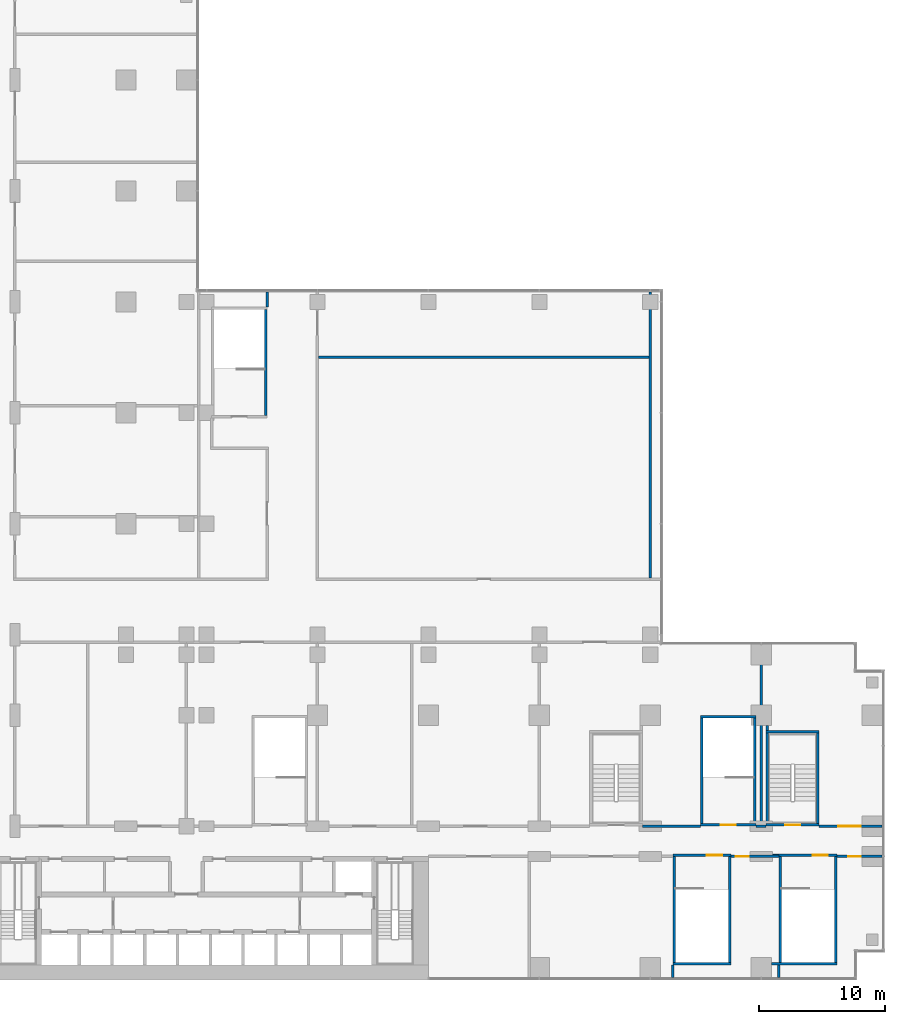
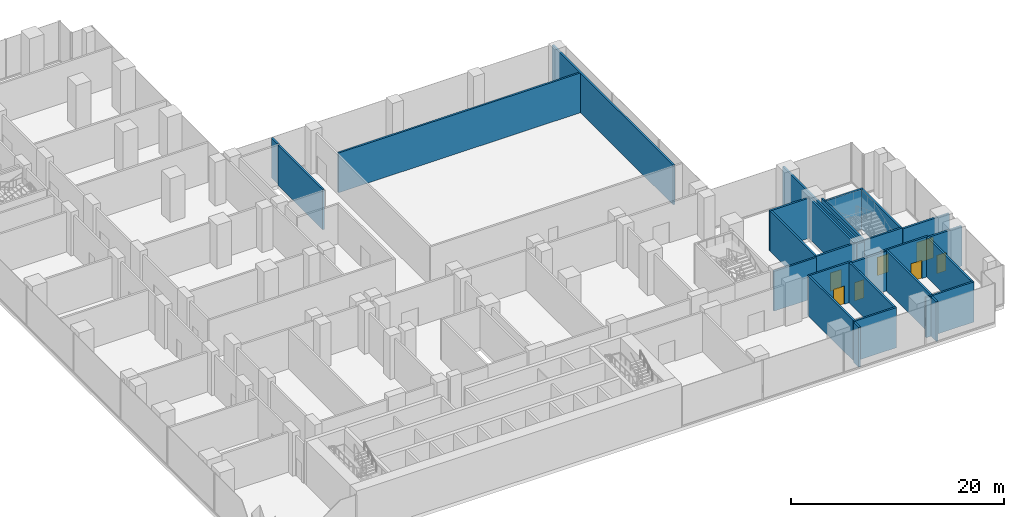
# One storey, part 21 of 27: 28 walls, 7 doors, 7 openings.
"""IFC4 building model written with IfcOpenShell, lengths in metres."""

from ifc_helpers import new_model, si_unit, direction, frame, frame_2d, origin, place, context, subcontext, project, spatial, rectangle, extrude, material, layer, layer_set, type_object, element, fill, save


model = new_model("IFC4")

# Units and contexts
model_context = context("Model", 3, precision=1e-05, world=origin(), true_north=direction((0.0, 1.0)))
body_context = subcontext(model_context, "Body", "Model", "MODEL_VIEW")
ifc_project = project(units=[si_unit("LENGTHUNIT", "METRE"), si_unit("AREAUNIT", "SQUARE_METRE"), si_unit("VOLUMEUNIT", "CUBIC_METRE"), si_unit("PLANEANGLEUNIT", "RADIAN"), si_unit("MASSUNIT", "GRAM", prefix="KILO")], contexts=[model_context])

# Site, building, storey
site_placement = place(None, origin())
site = spatial("IfcSite", under=ifc_project, at=site_placement, CompositionType="ELEMENT")
building_placement = place(site_placement, origin())
building = spatial("IfcBuilding", under=site, at=building_placement, Name="Kemantara Hotel Tower", CompositionType="ELEMENT")
storey_placement = place(building_placement, frame((0.0, 0.0, 29.0)))
storey = spatial("IfcBuildingStorey", under=building, at=storey_placement, Name="L05", CompositionType="ELEMENT", Elevation=29.0)

# Wall, opening, door
ifc_material_1 = material(Name="Concrete fc 40 MPa", Category="concrete")
ifc_layer_1 = layer(ifc_material_1, 0.199951171875)
ifc_layer_set_1 = layer_set([ifc_layer_1], Name="Concrete fc 40 MPa")
wall_type_1 = type_object("IfcWallType", Name="Concrete stair wall 200 mm", PredefinedType="SHEAR", material=ifc_layer_set_1)
wall_1_placement = place(storey_placement, frame((71.800048828125, 12.300048828125, 0.0), z_axis=(0.0, 0.0, 1.0), x_axis=(1.0, 0.0, 0.0)))
wall_1 = element("IfcWall", 1, at=wall_1_placement, inside=storey, type_object=wall_type_1, Name="Stair ST5 enclosure wall with door", PredefinedType="SHEAR", context=body_context, shape_type="SweptSolid", body=[
    extrude(rectangle(XDim=4.199951171875, YDim=0.199951171875, at=frame_2d((2.10009765625, 0.0))), origin(), (0.0, 0.0, 1.0), 4.60009765625),
])
opening_1_placement = place(wall_1_placement, frame((1.5, 0.0, 0.0)))
opening_1 = element("IfcOpeningElement", 2, at=opening_1_placement, cuts=wall_1, Name="Opening ST5-C", PredefinedType="OPENING", context=body_context, shape_type="SweptSolid", body=[
    extrude(rectangle(XDim=1.199951171875, YDim=2.10009765625, at=frame_2d((0.60009765625, 1.050048828125))), frame((0.0, 0.10986328125, 0.0), z_axis=(0.0, -1.0, 0.0), x_axis=(1.0, 0.0, 0.0)), (0.0, 0.0, 1.0), 0.219970703125),
])
ifc_material_2 = material(Name="Steel fire door", Category="steel")
door_type_1 = type_object("IfcDoorType", Name="Fire door FD90 1200 x 2100", OperationType="NOTDEFINED", PredefinedType="DOOR", material=ifc_material_2)
door_1_placement = place(opening_1_placement, origin())
door_1 = element("IfcDoor", 3, at=door_1_placement, inside=storey, type_object=door_type_1, Name="Stair ST5 door", OperationType="SINGLE_SWING_RIGHT", OverallHeight=2.10009765625, OverallWidth=1.199951171875, PredefinedType="DOOR", context=body_context, shape_type="SweptSolid", body=[
    extrude(rectangle(XDim=1.199951171875, YDim=2.10009765625, at=frame_2d((0.60009765625, 1.050048828125))), frame((0.0, 0.02490234375, 0.0), z_axis=(0.0, -1.0, 0.0), x_axis=(1.0, 0.0, 0.0)), (0.0, 0.0, 1.0), 0.050048828125),
])
fill(opening_1, door_1)

# Walls
wall_2_placement = place(storey_placement, frame((71.800048828125, 19.699951171875, 0.0), z_axis=(0.0, 0.0, 1.0), x_axis=(1.0, 0.0, 0.0)))
element("IfcWall", 4, at=wall_2_placement, inside=storey, type_object=wall_type_1, Name="Stair ST5 enclosure wall N", PredefinedType="SHEAR", context=body_context, shape_type="SweptSolid", body=[
    extrude(rectangle(XDim=4.199951171875, YDim=0.199951171875, at=frame_2d((2.10009765625, 0.0))), origin(), (0.0, 0.0, 1.0), 4.60009765625),
])
wall_3_placement = place(storey_placement, frame((71.89990234375, 12.39990234375, 0.0), z_axis=(0.0, 0.0, 1.0), x_axis=(0.0, 1.0, 0.0)))
element("IfcWall", 5, at=wall_3_placement, inside=storey, type_object=wall_type_1, Name="Stair ST5 enclosure wall W", PredefinedType="SHEAR", context=body_context, shape_type="SweptSolid", body=[
    extrude(rectangle(XDim=7.800048828125, YDim=0.199951171875, at=frame_2d((3.89990234375, 0.0))), origin(), (0.0, 0.0, 1.0), 4.60009765625),
])
wall_4_placement = place(storey_placement, frame((75.89990234375, 12.39990234375, 0.0), z_axis=(0.0, 0.0, 1.0), x_axis=(0.0, 1.0, 0.0)))
element("IfcWall", 6, at=wall_4_placement, inside=storey, type_object=wall_type_1, Name="Stair ST5 enclosure wall E", PredefinedType="SHEAR", context=body_context, shape_type="SweptSolid", body=[
    extrude(rectangle(XDim=7.2001953125, YDim=0.199951171875, at=frame_2d((3.60009765625, 0.0))), origin(), (0.0, 0.0, 1.0), 4.60009765625),
])

# Wall, opening, door
wall_5_placement = place(storey_placement, frame((66.60009765625, 12.300048828125, 0.0), z_axis=(0.0, 0.0, 1.0), x_axis=(1.0, 0.0, 0.0)))
wall_5 = element("IfcWall", 7, at=wall_5_placement, inside=storey, type_object=wall_type_1, Name="Stair PS1 enclosure wall with door", PredefinedType="SHEAR", context=body_context, shape_type="SweptSolid", body=[
    extrude(rectangle(XDim=4.39990234375, YDim=0.199951171875, at=frame_2d((2.199951171875, 0.0))), origin(), (0.0, 0.0, 1.0), 4.60009765625),
])
opening_2_placement = place(wall_5_placement, frame((1.60009765625, 0.0, 0.0)))
opening_2 = element("IfcOpeningElement", 8, at=opening_2_placement, cuts=wall_5, Name="Opening PS1-C", PredefinedType="OPENING", context=body_context, shape_type="SweptSolid", body=[
    extrude(rectangle(XDim=1.199951171875, YDim=2.10009765625, at=frame_2d((0.60009765625, 1.050048828125))), frame((0.0, 0.10986328125, 0.0), z_axis=(0.0, -1.0, 0.0), x_axis=(1.0, 0.0, 0.0)), (0.0, 0.0, 1.0), 0.219970703125),
])
door_2_placement = place(opening_2_placement, origin())
door_2 = element("IfcDoor", 9, at=door_2_placement, inside=storey, type_object=door_type_1, Name="Stair PS1 door", OperationType="SINGLE_SWING_RIGHT", OverallHeight=2.10009765625, OverallWidth=1.199951171875, PredefinedType="DOOR", context=body_context, shape_type="SweptSolid", body=[
    extrude(rectangle(XDim=1.199951171875, YDim=2.10009765625, at=frame_2d((0.60009765625, 1.050048828125))), frame((0.0, 0.02490234375, 0.0), z_axis=(0.0, -1.0, 0.0), x_axis=(1.0, 0.0, 0.0)), (0.0, 0.0, 1.0), 0.050048828125),
])
fill(opening_2, door_2)

# Walls
wall_6_placement = place(storey_placement, frame((66.60009765625, 20.89990234375, 0.0), z_axis=(0.0, 0.0, 1.0), x_axis=(1.0, 0.0, 0.0)))
element("IfcWall", 10, at=wall_6_placement, inside=storey, type_object=wall_type_1, Name="Stair PS1 enclosure wall N", PredefinedType="SHEAR", context=body_context, shape_type="SweptSolid", body=[
    extrude(rectangle(XDim=4.39990234375, YDim=0.199951171875, at=frame_2d((2.199951171875, 0.0))), origin(), (0.0, 0.0, 1.0), 4.60009765625),
])
for number, where, z_axis, x_axis, name in (
    (11, (66.699951171875, 12.39990234375, 0.0), (0.0, 0.0, 1.0), (0.0, 1.0, 0.0), "Stair PS1 enclosure wall W"),
    (12, (70.89990234375, 12.39990234375, 0.0), (0.0, 0.0, 1.0), (0.0, 1.0, 0.0), "Stair PS1 enclosure wall E"),
):
    element("IfcWall", number, at=place(storey_placement, frame(where, z_axis=z_axis, x_axis=x_axis)), inside=storey, type_object=wall_type_1, Name=name, PredefinedType="SHEAR", context=body_context, shape_type="SweptSolid", body=[
        extrude(rectangle(XDim=8.400146484375, YDim=0.199951171875, at=frame_2d((4.2001953125, 0.0))), origin(), (0.0, 0.0, 1.0), 4.60009765625),
    ])
wall_7_placement = place(storey_placement, frame((32.10009765625, 44.800048828125, 0.0), z_axis=(0.0, 0.0, 1.0), x_axis=(0.0, 1.0, 0.0)))
element("IfcWall", 13, at=wall_7_placement, inside=storey, type_object=wall_type_1, Name="Stair PS2 enclosure wall E", PredefinedType="SHEAR", context=body_context, shape_type="SweptSolid", body=[
    extrude(rectangle(XDim=8.39990234375, YDim=0.199951171875, at=frame_2d((4.199951171875, 0.0))), origin(), (0.0, 0.0, 1.0), 4.60009765625),
])

# Wall, opening, door
wall_8_placement = place(storey_placement, frame((64.39990234375, 9.89990234375, 0.0), z_axis=(0.0, 0.0, 1.0), x_axis=(1.0, 0.0, 0.0)))
wall_8 = element("IfcWall", 14, at=wall_8_placement, inside=storey, type_object=wall_type_1, Name="Stair PS4 enclosure wall with door", PredefinedType="SHEAR", context=body_context, shape_type="SweptSolid", body=[
    extrude(rectangle(XDim=4.60009765625, YDim=0.199951171875, at=frame_2d((2.300048828125, 0.0))), origin(), (0.0, 0.0, 1.0), 4.60009765625),
])
opening_3_placement = place(wall_8_placement, frame((2.699951171875, 0.0, 0.0)))
opening_3 = element("IfcOpeningElement", 15, at=opening_3_placement, cuts=wall_8, Name="Opening PS4-C", PredefinedType="OPENING", context=body_context, shape_type="SweptSolid", body=[
    extrude(rectangle(XDim=1.199951171875, YDim=2.10009765625, at=frame_2d((0.60009765625, 1.050048828125))), frame((0.0, 0.10986328125, 0.0), z_axis=(0.0, -1.0, 0.0), x_axis=(1.0, 0.0, 0.0)), (0.0, 0.0, 1.0), 0.219970703125),
])
door_3_placement = place(opening_3_placement, frame((1.199951171875, 0.0, 0.0), z_axis=(0.0, 0.0, 1.0), x_axis=(-1.0, 0.0, 0.0)))
door_3 = element("IfcDoor", 16, at=door_3_placement, inside=storey, type_object=door_type_1, Name="Stair PS4 door", OperationType="SINGLE_SWING_LEFT", OverallHeight=2.10009765625, OverallWidth=1.199951171875, PredefinedType="DOOR", context=body_context, shape_type="SweptSolid", body=[
    extrude(rectangle(XDim=1.199951171875, YDim=2.10009765625, at=frame_2d((0.60009765625, 1.050048828125))), frame((0.0, 0.02490234375, 0.0), z_axis=(0.0, -1.0, 0.0), x_axis=(1.0, 0.0, 0.0)), (0.0, 0.0, 1.0), 0.050048828125),
])
fill(opening_3, door_3)

# Walls
wall_9_placement = place(storey_placement, frame((64.39990234375, 1.300048828125, 0.0), z_axis=(0.0, 0.0, 1.0), x_axis=(1.0, 0.0, 0.0)))
element("IfcWall", 17, at=wall_9_placement, inside=storey, type_object=wall_type_1, Name="Stair PS4 enclosure wall S", PredefinedType="SHEAR", context=body_context, shape_type="SweptSolid", body=[
    extrude(rectangle(XDim=4.60009765625, YDim=0.199951171875, at=frame_2d((2.300048828125, 0.0))), origin(), (0.0, 0.0, 1.0), 4.60009765625),
])
for number, where, z_axis, x_axis, name in (
    (18, (64.5, 1.39990234375, 0.0), (0.0, 0.0, 1.0), (0.0, 1.0, 0.0), "Stair PS4 enclosure wall W"),
    (19, (68.89990234375, 1.39990234375, 0.0), (0.0, 0.0, 1.0), (0.0, 1.0, 0.0), "Stair PS4 enclosure wall E"),
):
    element("IfcWall", number, at=place(storey_placement, frame(where, z_axis=z_axis, x_axis=x_axis)), inside=storey, type_object=wall_type_1, Name=name, PredefinedType="SHEAR", context=body_context, shape_type="SweptSolid", body=[
        extrude(rectangle(XDim=8.400146484375, YDim=0.199951171875, at=frame_2d((4.2001953125, 0.0))), origin(), (0.0, 0.0, 1.0), 4.60009765625),
    ])

# Wall, opening, door
wall_10_placement = place(storey_placement, frame((72.300048828125, 9.89990234375, 0.0), z_axis=(0.0, 0.0, 1.0), x_axis=(1.0, 0.0, 0.0)))
wall_10 = element("IfcWall", 20, at=wall_10_placement, inside=storey, type_object=wall_type_1, Name="Stair PS5 enclosure wall with door", PredefinedType="SHEAR", context=body_context, shape_type="SweptSolid", body=[
    extrude(rectangle(XDim=5.099853515625, YDim=0.199951171875, at=frame_2d((2.5498046875, 0.0))), origin(), (0.0, 0.0, 1.0), 4.60009765625),
])
opening_4_placement = place(wall_10_placement, frame((3.199951171875, 0.0, 0.0)))
opening_4 = element("IfcOpeningElement", 21, at=opening_4_placement, cuts=wall_10, Name="Opening PS5-C", PredefinedType="OPENING", context=body_context, shape_type="SweptSolid", body=[
    extrude(rectangle(XDim=1.199951171875, YDim=2.10009765625, at=frame_2d((0.60009765625, 1.050048828125))), frame((0.0, 0.10986328125, 0.0), z_axis=(0.0, -1.0, 0.0), x_axis=(1.0, 0.0, 0.0)), (0.0, 0.0, 1.0), 0.219970703125),
])
door_4_placement = place(opening_4_placement, frame((1.199951171875, 0.0, 0.0), z_axis=(0.0, 0.0, 1.0), x_axis=(-1.0, 0.0, 0.0)))
door_4 = element("IfcDoor", 22, at=door_4_placement, inside=storey, type_object=door_type_1, Name="Stair PS5 door", OperationType="SINGLE_SWING_LEFT", OverallHeight=2.10009765625, OverallWidth=1.199951171875, PredefinedType="DOOR", context=body_context, shape_type="SweptSolid", body=[
    extrude(rectangle(XDim=1.199951171875, YDim=2.10009765625, at=frame_2d((0.60009765625, 1.050048828125))), frame((0.0, 0.02490234375, 0.0), z_axis=(0.0, -1.0, 0.0), x_axis=(1.0, 0.0, 0.0)), (0.0, 0.0, 1.0), 0.050048828125),
])
fill(opening_4, door_4)

# Walls
wall_11_placement = place(storey_placement, frame((72.199951171875, 1.300048828125, 0.0), z_axis=(0.0, 0.0, 1.0), x_axis=(1.0, 0.0, 0.0)))
element("IfcWall", 23, at=wall_11_placement, inside=storey, type_object=wall_type_1, Name="Stair PS5 enclosure wall S", PredefinedType="SHEAR", context=body_context, shape_type="SweptSolid", body=[
    extrude(rectangle(XDim=5.199951171875, YDim=0.199951171875, at=frame_2d((2.60009765625, 0.0))), origin(), (0.0, 0.0, 1.0), 4.60009765625),
])
for number, where, z_axis, x_axis, name in (
    (24, (72.89990234375, 1.39990234375, 0.0), (0.0, 0.0, 1.0), (0.0, 1.0, 0.0), "Stair PS5 enclosure wall W"),
    (25, (77.300048828125, 1.39990234375, 0.0), (0.0, 0.0, 1.0), (0.0, 1.0, 0.0), "Stair PS5 enclosure wall E"),
):
    element("IfcWall", number, at=place(storey_placement, frame(where, z_axis=z_axis, x_axis=x_axis)), inside=storey, type_object=wall_type_1, Name=name, PredefinedType="SHEAR", context=body_context, shape_type="SweptSolid", body=[
        extrude(rectangle(XDim=8.400146484375, YDim=0.199951171875, at=frame_2d((4.2001953125, 0.0))), origin(), (0.0, 0.0, 1.0), 4.60009765625),
    ])
ifc_material_3 = material(Name="Clay brick masonry", Category="masonry")
ifc_layer_2 = layer(ifc_material_3, 0.199951171875)
ifc_layer_set_2 = layer_set([ifc_layer_2], Name="Clay brick masonry")
wall_type_2 = type_object("IfcWallType", Name="FIRE-RATED CLAY BRICK WALL 200 EI 120", PredefinedType="PARTITIONING", material=ifc_layer_set_2)
wall_12_placement = place(storey_placement, frame((62.60009765625, 31.89990234375, 0.0), z_axis=(0.0, 0.0, 1.0), x_axis=(0.0, 1.0, 0.0)))
element("IfcWall", 26, at=wall_12_placement, inside=storey, type_object=wall_type_2, Name="FIRE WALL", PredefinedType="PARTITIONING", context=body_context, shape_type="SweptSolid", body=[
    extrude(rectangle(XDim=22.7001953125, YDim=0.199951171875, at=frame_2d((11.35009765625, 0.0))), origin(), (0.0, 0.0, 1.0), 4.550048828125),
])

# Wall, opening, door
ifc_material_4 = material(Name="Fire-rated gypsum board partition")
ifc_layer_3 = layer(ifc_material_4, 0.199951171875)
ifc_layer_set_3 = layer_set([ifc_layer_3], Name="Fire-rated gypsum board partition")
wall_type_3 = type_object("IfcWallType", Name="FIRE-RATED GYPSUM PARTITION 200 EI 60", PredefinedType="PARTITIONING", material=ifc_layer_set_3)
wall_13_placement = place(storey_placement, frame((69.0, 9.800048828125, 0.0), z_axis=(0.0, 0.0, 1.0), x_axis=(1.0, 0.0, 0.0)))
wall_13 = element("IfcWall", 27, at=wall_13_placement, inside=storey, type_object=wall_type_3, Name="FIRE-RATED PARTITION", PredefinedType="PARTITIONING", context=body_context, shape_type="SweptSolid", body=[
    extrude(rectangle(XDim=3.800048828125, YDim=0.199951171875, at=frame_2d((1.89990234375, 0.0))), origin(), (0.0, 0.0, 1.0), 4.550048828125),
])
opening_5_placement = place(wall_13_placement, frame((0.39990234375, 0.0, 0.0)))
opening_5 = element("IfcOpeningElement", 28, at=opening_5_placement, cuts=wall_13, Name="Opening L05-B005", PredefinedType="OPENING", context=body_context, shape_type="SweptSolid", body=[
    extrude(rectangle(XDim=1.0, YDim=2.10009765625, at=frame_2d((0.5, 1.050048828125))), frame((0.0, 0.10986328125, 0.0), z_axis=(0.0, -1.0, 0.0), x_axis=(1.0, 0.0, 0.0)), (0.0, 0.0, 1.0), 0.219970703125),
])
ifc_material_5 = material(Name="Timber veneer door leaf", Category="wood")
door_type_2 = type_object("IfcDoorType", Name="SINGLE LEAF TIMBER DOOR 1000 X 2100", OperationType="SINGLE_SWING_LEFT", PredefinedType="DOOR", material=ifc_material_5)
door_5_placement = place(opening_5_placement, frame((1.0, 0.0, 0.0), z_axis=(0.0, 0.0, 1.0), x_axis=(-1.0, 0.0, 0.0)))
door_5 = element("IfcDoor", 29, at=door_5_placement, inside=storey, type_object=door_type_2, Name="SINGLE LEAF TIMBER DOOR", OperationType="SINGLE_SWING_RIGHT", OverallHeight=2.10009765625, OverallWidth=1.0, PredefinedType="DOOR", context=body_context, shape_type="SweptSolid", body=[
    extrude(rectangle(XDim=1.0, YDim=2.10009765625, at=frame_2d((0.5, 1.050048828125))), frame((0.0, 0.02490234375, 0.0), z_axis=(0.0, -1.0, 0.0), x_axis=(1.0, 0.0, 0.0)), (0.0, 0.0, 1.0), 0.050048828125),
])
fill(opening_5, door_5)

wall_14_placement = place(storey_placement, frame((77.39990234375, 9.800048828125, 0.0), z_axis=(0.0, 0.0, 1.0), x_axis=(1.0, 0.0, 0.0)))
wall_14 = element("IfcWall", 30, at=wall_14_placement, inside=storey, type_object=wall_type_3, Name="FIRE-RATED PARTITION", PredefinedType="PARTITIONING", context=body_context, shape_type="SweptSolid", body=[
    extrude(rectangle(XDim=3.60009765625, YDim=0.199951171875, at=frame_2d((1.800048828125, 0.0))), origin(), (0.0, 0.0, 1.0), 4.550048828125),
])
opening_6_placement = place(wall_14_placement, frame((0.89990234375, 0.0, 0.0)))
opening_6 = element("IfcOpeningElement", 31, at=opening_6_placement, cuts=wall_14, Name="Opening L05-B006", PredefinedType="OPENING", context=body_context, shape_type="SweptSolid", body=[
    extrude(rectangle(XDim=1.0, YDim=2.10009765625, at=frame_2d((0.5, 1.050048828125))), frame((0.0, 0.10986328125, 0.0), z_axis=(0.0, -1.0, 0.0), x_axis=(1.0, 0.0, 0.0)), (0.0, 0.0, 1.0), 0.219970703125),
])
door_6_placement = place(opening_6_placement, frame((1.0, 0.0, 0.0), z_axis=(0.0, 0.0, 1.0), x_axis=(-1.0, 0.0, 0.0)))
door_6 = element("IfcDoor", 32, at=door_6_placement, inside=storey, type_object=door_type_2, Name="SINGLE LEAF TIMBER DOOR", OperationType="SINGLE_SWING_RIGHT", OverallHeight=2.10009765625, OverallWidth=1.0, PredefinedType="DOOR", context=body_context, shape_type="SweptSolid", body=[
    extrude(rectangle(XDim=1.0, YDim=2.10009765625, at=frame_2d((0.5, 1.050048828125))), frame((0.0, 0.02490234375, 0.0), z_axis=(0.0, -1.0, 0.0), x_axis=(1.0, 0.0, 0.0)), (0.0, 0.0, 1.0), 0.050048828125),
])
fill(opening_6, door_6)

# Walls
wall_15_placement = place(storey_placement, frame((62.0, 12.199951171875, 0.0), z_axis=(0.0, 0.0, 1.0), x_axis=(1.0, 0.0, 0.0)))
element("IfcWall", 33, at=wall_15_placement, inside=storey, type_object=wall_type_3, Name="FIRE-RATED PARTITION", PredefinedType="PARTITIONING", context=body_context, shape_type="SweptSolid", body=[
    extrude(rectangle(XDim=4.60009765625, YDim=0.199951171875, at=frame_2d((2.300048828125, 0.0))), origin(), (0.0, 0.0, 1.0), 4.550048828125),
])
wall_16_placement = place(storey_placement, frame((71.0, 12.199951171875, 0.0), z_axis=(0.0, 0.0, 1.0), x_axis=(1.0, 0.0, 0.0)))
element("IfcWall", 34, at=wall_16_placement, inside=storey, type_object=wall_type_3, Name="FIRE-RATED PARTITION", PredefinedType="PARTITIONING", context=body_context, shape_type="SweptSolid", body=[
    extrude(rectangle(XDim=0.800048828125, YDim=0.199951171875, at=frame_2d((0.39990234375, 0.0))), origin(), (0.0, 0.0, 1.0), 4.550048828125),
])

# Wall, opening, door
wall_17_placement = place(storey_placement, frame((76.0, 12.199951171875, 0.0), z_axis=(0.0, 0.0, 1.0), x_axis=(1.0, 0.0, 0.0)))
wall_17 = element("IfcWall", 35, at=wall_17_placement, inside=storey, type_object=wall_type_3, Name="FIRE-RATED PARTITION", PredefinedType="PARTITIONING", context=body_context, shape_type="SweptSolid", body=[
    extrude(rectangle(XDim=5.0, YDim=0.199951171875, at=frame_2d((2.5, 0.0))), origin(), (0.0, 0.0, 1.0), 4.550048828125),
])
opening_7_placement = place(wall_17_placement, frame((1.5, 0.0, 0.0)))
opening_7 = element("IfcOpeningElement", 36, at=opening_7_placement, cuts=wall_17, Name="Opening L05-B028", PredefinedType="OPENING", context=body_context, shape_type="SweptSolid", body=[
    extrude(rectangle(XDim=1.800048828125, YDim=2.39990234375, at=frame_2d((0.89990234375, 1.199951171875))), frame((0.0, 0.10986328125, 0.0), z_axis=(0.0, -1.0, 0.0), x_axis=(1.0, 0.0, 0.0)), (0.0, 0.0, 1.0), 0.219970703125),
])
ifc_material_6 = material(Name="Toughened glass door leaf", Category="glass")
door_type_3 = type_object("IfcDoorType", Name="GLAZED DOUBLE DOOR 1800 X 2400", OperationType="DOUBLE_DOOR_SINGLE_SWING", PredefinedType="DOOR", material=ifc_material_6)
door_7_placement = place(opening_7_placement, frame((1.800048828125, 0.0, 0.0), z_axis=(0.0, 0.0, 1.0), x_axis=(-1.0, 0.0, 0.0)))
door_7 = element("IfcDoor", 37, at=door_7_placement, inside=storey, type_object=door_type_3, Name="GLAZED DOUBLE DOOR", OperationType="DOUBLE_DOOR_SINGLE_SWING", OverallHeight=2.39990234375, OverallWidth=1.800048828125, PredefinedType="DOOR", context=body_context, shape_type="SweptSolid", body=[
    extrude(rectangle(XDim=1.800048828125, YDim=2.39990234375, at=frame_2d((0.89990234375, 1.199951171875))), frame((0.0, 0.02490234375, 0.0), z_axis=(0.0, -1.0, 0.0), x_axis=(1.0, 0.0, 0.0)), (0.0, 0.0, 1.0), 0.050048828125),
])
fill(opening_7, door_7)

# Walls
ifc_material_7 = material(Name="Gypsum board partition")
ifc_layer_4 = layer(ifc_material_7, 0.199951171875)
ifc_layer_set_4 = layer_set([ifc_layer_4], Name="Gypsum board partition")
wall_type_4 = type_object("IfcWallType", Name="GYPSUM BOARD PARTITION 200", PredefinedType="PARTITIONING", material=ifc_layer_set_4)
wall_18_placement = place(storey_placement, frame((36.300048828125, 49.39990234375, 0.0), z_axis=(0.0, 0.0, 1.0), x_axis=(1.0, 0.0, 0.0)))
element("IfcWall", 38, at=wall_18_placement, inside=storey, type_object=wall_type_4, Name="PARTITION", PredefinedType="PARTITIONING", context=body_context, shape_type="SweptSolid", body=[
    extrude(rectangle(XDim=26.199951171875, YDim=0.199951171875, at=frame_2d((13.10009765625, 0.0))), origin(), (0.0, 0.0, 1.0), 4.550048828125),
])
wall_19_placement = place(storey_placement, frame((32.199951171875, 53.39990234375, 0.0), z_axis=(0.0, 0.0, 1.0), x_axis=(0.0, 1.0, 0.0)))
element("IfcWall", 39, at=wall_19_placement, inside=storey, type_object=wall_type_4, Name="PARTITION", PredefinedType="PARTITIONING", context=body_context, shape_type="SweptSolid", body=[
    extrude(rectangle(XDim=1.2001953125, YDim=0.199951171875, at=frame_2d((0.60009765625, 0.0))), origin(), (0.0, 0.0, 1.0), 4.550048828125),
])
for number, where, z_axis, x_axis, name in (
    (40, (64.39990234375, 0.199951171875, 0.0), (0.0, 0.0, 1.0), (0.0, 1.0, 0.0), "PARTITION"),
    (41, (72.800048828125, 0.199951171875, 0.0), (0.0, 0.0, 1.0), (0.0, 1.0, 0.0), "PARTITION"),
):
    element("IfcWall", number, at=place(storey_placement, frame(where, z_axis=z_axis, x_axis=x_axis)), inside=storey, type_object=wall_type_4, Name=name, PredefinedType="PARTITIONING", context=body_context, shape_type="SweptSolid", body=[
        extrude(rectangle(XDim=1.0, YDim=0.199951171875, at=frame_2d((0.5, 0.0))), origin(), (0.0, 0.0, 1.0), 4.550048828125),
    ])
wall_20_placement = place(storey_placement, frame((71.39990234375, 12.300048828125, 0.0), z_axis=(0.0, 0.0, 1.0), x_axis=(0.0, 1.0, 0.0)))
element("IfcWall", 42, at=wall_20_placement, inside=storey, type_object=wall_type_4, Name="PARTITION", PredefinedType="PARTITIONING", context=body_context, shape_type="SweptSolid", body=[
    extrude(rectangle(XDim=14.300048828125, YDim=0.199951171875, at=frame_2d((7.14990234375, 0.0))), origin(), (0.0, 0.0, 1.0), 4.550048828125),
])

save(model, "model.ifc")
